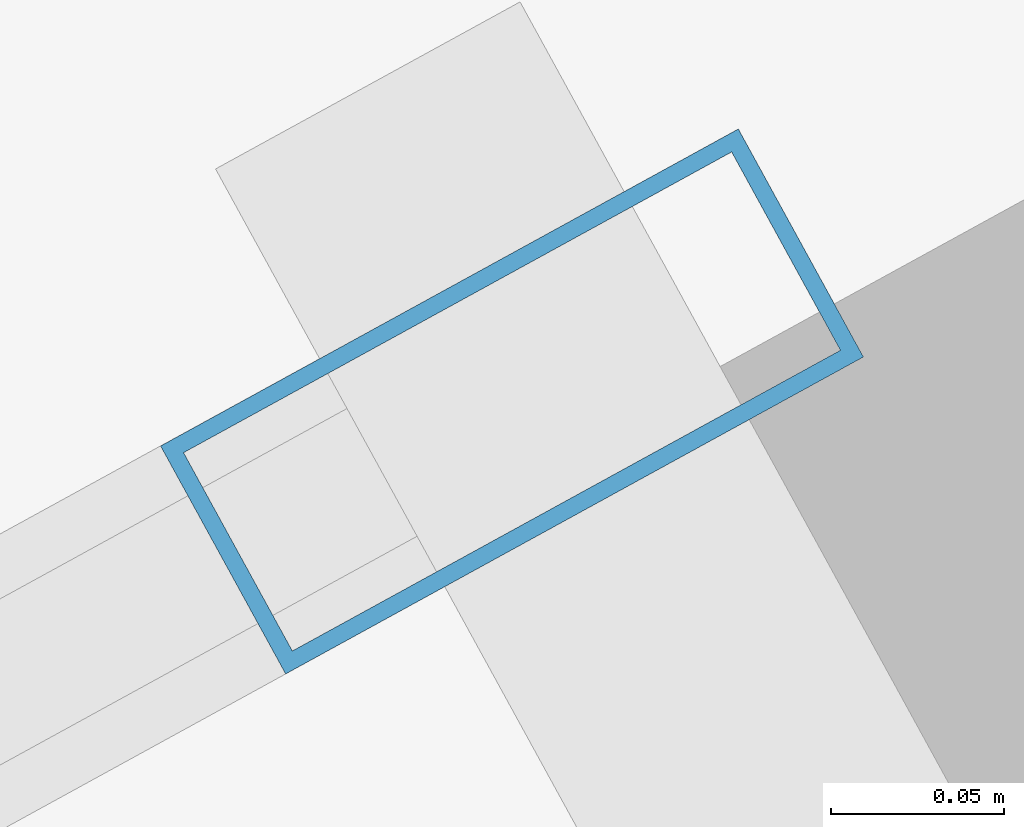
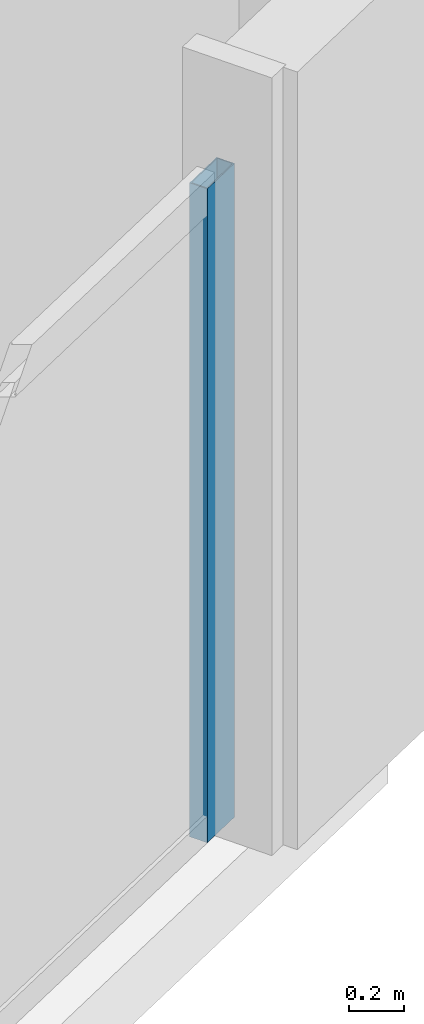
# One storey, part 10 of 33: 1 member, 1 element without a shape of its own.
"""IFC4 building model written with IfcOpenShell, lengths in metres."""

from ifc_helpers import new_model, si_unit, direction, frame, origin, origin_2d, place, context, subcontext, project, spatial, hollow_rectangle, extrude, material, material_profile, profile_set, type_object, element, aggregate, save


model = new_model("IFC4")

# Units and contexts
model_context = context("Model", 3, precision=1e-05, world=origin(), true_north=direction((0.0, 1.0)))
body_context = subcontext(model_context, "Body", "Model", "MODEL_VIEW")
ifc_project = project(units=[si_unit("LENGTHUNIT", "METRE"), si_unit("AREAUNIT", "SQUARE_METRE"), si_unit("VOLUMEUNIT", "CUBIC_METRE"), si_unit("PLANEANGLEUNIT", "RADIAN"), si_unit("MASSUNIT", "GRAM", prefix="KILO")], contexts=[model_context])

# Site, building, storey
site_placement = place(None, origin())
site = spatial("IfcSite", under=ifc_project, at=site_placement, CompositionType="ELEMENT")
building_placement = place(site_placement, origin())
building = spatial("IfcBuilding", under=site, at=building_placement, Name="Haldenkirk Collegiate Tower", CompositionType="ELEMENT")
storey_placement = place(building_placement, frame((0.0, 0.0, 124.199951171875)))
storey = spatial("IfcBuildingStorey", under=building, at=storey_placement, Name="L30", CompositionType="ELEMENT", Elevation=124.199951171875)

# Curtain wall, member
ifc_material = material(Name="Anodised architectural bronze aluminium", Category="aluminium")
curtain_wall_type = type_object("IfcCurtainWallType", Name="CW-SYS2-CONCAVE", PredefinedType="USERDEFINED", material=ifc_material)
curtain_wall_placement = place(storey_placement, origin())
curtain_wall = element("IfcCurtainWall", 1, at=curtain_wall_placement, inside=storey, type_object=curtain_wall_type, Name="L30 South concave recessed bronze-anodised curtain wall", ObjectType="UNITISED CURTAIN WALL", PredefinedType="USERDEFINED")
ifc_material_profile = material_profile(ifc_material, hollow_rectangle(XDim=0.074951171875, YDim=0.18994140625, WallThickness=0.0048828125, at=origin_2d()), Name="CW-MUL-02")
ifc_profile_set = profile_set([ifc_material_profile], Name="Anodised architectural bronze aluminium")
member_type = type_object("IfcMemberType", Name="CW-MUL-02", PredefinedType="MULLION", material=ifc_profile_set)
member_placement = place(storey_placement, frame((65.772705078125, 14.7939453125, 0.0), z_axis=(0.0, 0.0, 1.0), x_axis=(0.480988754199, -0.876726763783, 0.0)))
member = element("IfcMember", 2, at=member_placement, type_object=member_type, Name="CW-02 mullion 1", PredefinedType="MULLION", context=body_context, shape_type="SweptSolid", body=[
    extrude(hollow_rectangle(XDim=0.074951171875, YDim=0.18994140625, WallThickness=0.0048828125, at=origin_2d()), origin(), (0.0, 0.0, 1.0), 2.901123046875),
])
aggregate(curtain_wall, [member])

save(model, "model.ifc")
